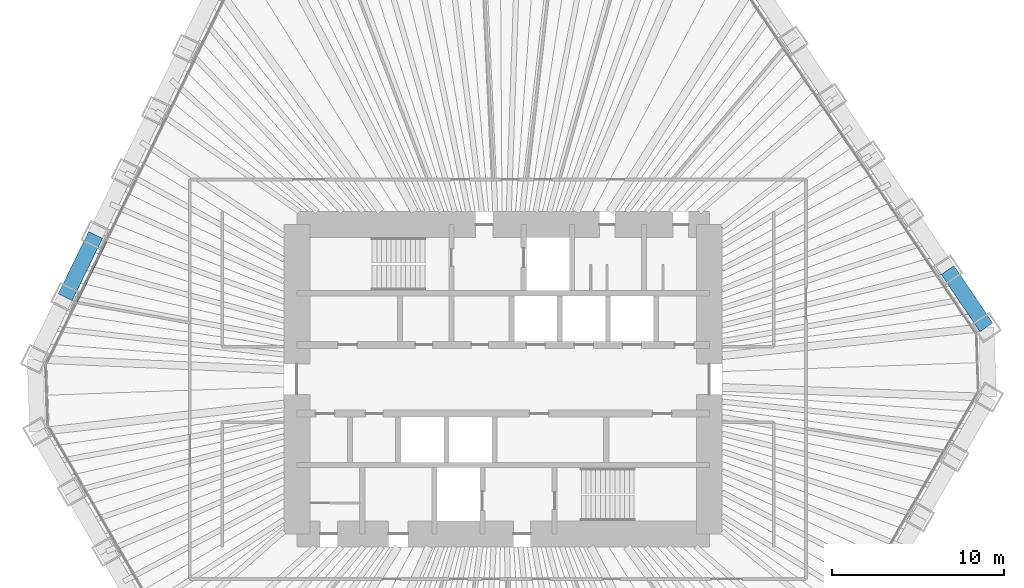
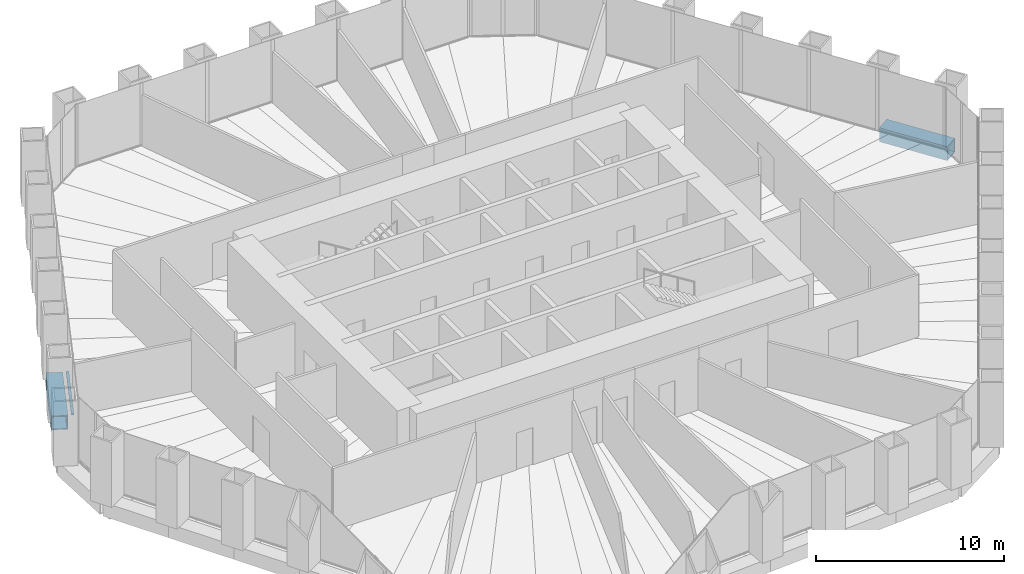
# One storey, part 5 of 13: 2 beams, 1 member, 1 element without a shape of its own.
"""IFC4 building model written with IfcOpenShell, lengths in metres."""

from ifc_helpers import new_model, si_unit, direction, frame, origin, origin_2d, place, context, subcontext, project, spatial, rectangle, hollow_rectangle, extrude, material, material_profile, profile_set, type_object, element, aggregate, save


model = new_model("IFC4")

# Units and contexts
model_context = context("Model", 3, precision=1e-05, world=origin(), true_north=direction((0.0, 1.0)))
body_context = subcontext(model_context, "Body", "Model", "MODEL_VIEW")
ifc_project = project(units=[si_unit("LENGTHUNIT", "METRE"), si_unit("AREAUNIT", "SQUARE_METRE"), si_unit("VOLUMEUNIT", "CUBIC_METRE"), si_unit("PLANEANGLEUNIT", "RADIAN"), si_unit("MASSUNIT", "GRAM", prefix="KILO")], contexts=[model_context])

# Site, building, storey
site_placement = place(None, origin())
site = spatial("IfcSite", under=ifc_project, at=site_placement, CompositionType="ELEMENT")
building_placement = place(site_placement, origin())
building = spatial("IfcBuilding", under=site, at=building_placement, Name="Qingtian Harvest Tower", CompositionType="ELEMENT")
storey_placement = place(building_placement, frame((0.0, 0.0, 111.39990234375)))
storey = spatial("IfcBuildingStorey", under=building, at=storey_placement, Name="L22", CompositionType="ELEMENT", Elevation=111.39990234375)

# Beams
ifc_material_1 = material(Name="Steel SM570MC", Category="steel")
ifc_material_profile_1 = material_profile(ifc_material_1, hollow_rectangle(XDim=0.89990234375, YDim=0.89990234375, WallThickness=0.050048828125, at=origin_2d()), Name="BOX900x900x50")
ifc_profile_set_1 = profile_set([ifc_material_profile_1], Name="Steel SM570MC")
beam_type = type_object("IfcBeamType", Name="Transition spandrel SB6 BOX900x900x50", PredefinedType="SPANDREL", material=ifc_profile_set_1)
for number, where, z_axis, x_axis, name in (
    (1, (25.8720703125, 6.3505859375, -0.449951171875), (0.55916400171, -0.829057066306, 0.0), (0.829057066306, 0.55916400171, 0.0), "Spandrel SB6 NE5"),
    (2, (-25.483154296875, 4.78125, -0.449951171875), (0.438396105405, 0.89878187274, 0.0), (-0.89878187274, 0.438396105405, 0.0), "Spandrel SB6 NW1"),
):
    element("IfcBeam", number, at=place(storey_placement, frame(where, z_axis=z_axis, x_axis=x_axis)), inside=storey, type_object=beam_type, Name=name, PredefinedType="SPANDREL", context=body_context, shape_type="SweptSolid", body=[
        extrude(hollow_rectangle(XDim=0.89990234375, YDim=0.89990234375, WallThickness=0.050048828125, at=origin_2d()), origin(), (0.0, 0.0, 1.0), 4.01904296875),
    ])

# Curtain wall, member
ifc_material_2 = material(Name="Bronze-anodised aluminium curtain wall", Category="aluminium")
curtain_wall_type = type_object("IfcCurtainWallType", Name="Curtain wall CW4 office", PredefinedType="USERDEFINED", material=ifc_material_2)
curtain_wall_placement = place(storey_placement, origin())
curtain_wall = element("IfcCurtainWall", 3, at=curtain_wall_placement, inside=storey, type_object=curtain_wall_type, Name="Curtain wall CW4 L22 NW0-5", ObjectType="RECESSED CURTAIN WALL", PredefinedType="USERDEFINED")
ifc_material_3 = material(Name="Bronze-anodised aluminium transom", Category="aluminium")
ifc_material_profile_2 = material_profile(ifc_material_3, rectangle(XDim=0.14990234375, YDim=0.06494140625, at=origin_2d()), Name="AL 65x150")
ifc_profile_set_2 = profile_set([ifc_material_profile_2], Name="Bronze-anodised aluminium transom")
member_type = type_object("IfcMemberType", Name="Transom CWT 65x150", PredefinedType="USERDEFINED", material=ifc_profile_set_2)
member_placement = place(storey_placement, frame((-24.839599609375, 4.503662109375, 0.03271484375), z_axis=(0.438374972828, 0.898792180205, 0.0), x_axis=(-0.898792180205, 0.438374972828, 0.0)))
member = element("IfcMember", 4, at=member_placement, type_object=member_type, Name="CW4 transom 2.1", ObjectType="TRANSOM", PredefinedType="USERDEFINED", context=body_context, shape_type="SweptSolid", body=[
    extrude(rectangle(XDim=0.14990234375, YDim=0.06494140625, at=origin_2d()), origin(), (0.0, 0.0, 1.0), 3.9541015625),
])
aggregate(curtain_wall, [member])

save(model, "model.ifc")
